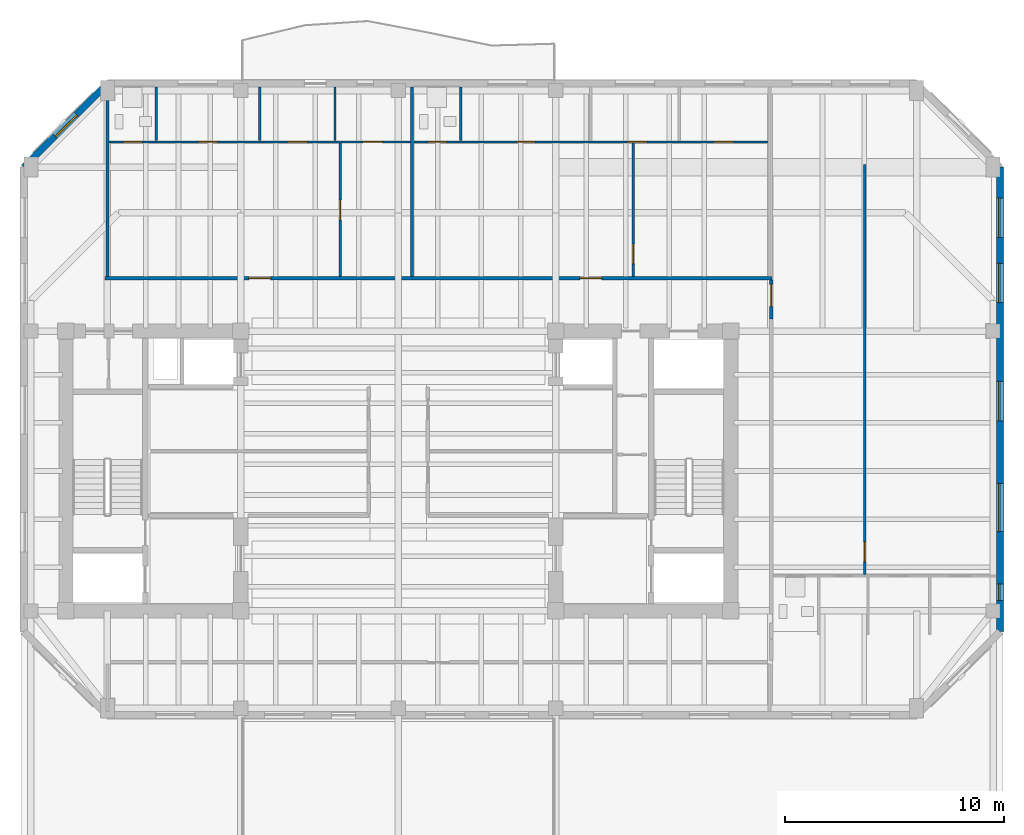
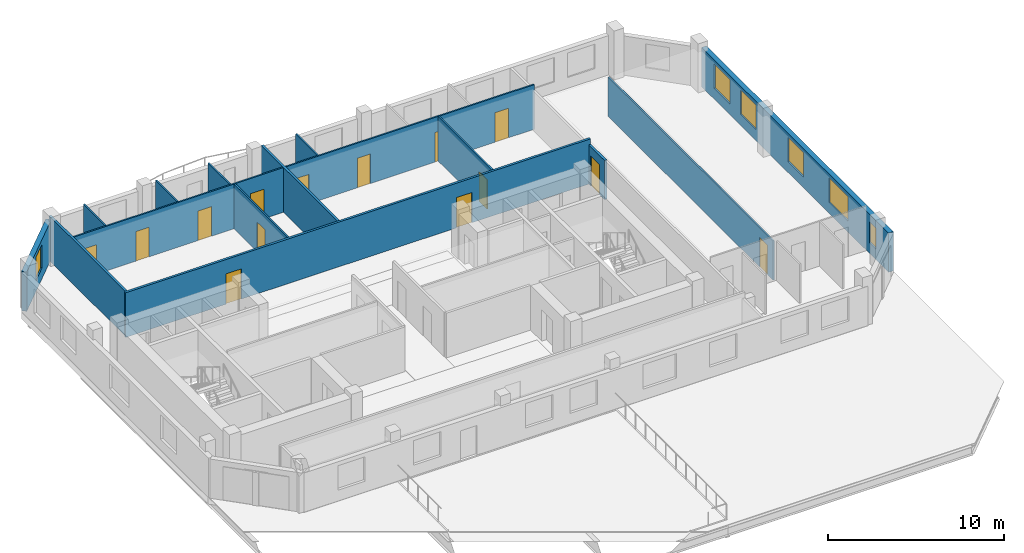
# One storey, part 5 of 10: 15 walls, 14 doors, 6 windows, 20 openings.
"""IFC4 building model written with IfcOpenShell, lengths in metres."""

from ifc_helpers import new_model, si_unit, direction, frame, frame_2d, origin, place, context, subcontext, project, spatial, rectangle, extrude, material, layer, layer_set, type_object, element, fill, save


model = new_model("IFC4")

# Units and contexts
model_context = context("Model", 3, precision=1e-05, world=origin(), true_north=direction((0.0, 1.0)))
body_context = subcontext(model_context, "Body", "Model", "MODEL_VIEW")
ifc_project = project(units=[si_unit("LENGTHUNIT", "METRE"), si_unit("AREAUNIT", "SQUARE_METRE"), si_unit("VOLUMEUNIT", "CUBIC_METRE"), si_unit("PLANEANGLEUNIT", "RADIAN"), si_unit("MASSUNIT", "GRAM", prefix="KILO")], contexts=[model_context])

# Site, building, storey
site_placement = place(None, origin())
site = spatial("IfcSite", under=ifc_project, at=site_placement, CompositionType="ELEMENT")
building_placement = place(site_placement, origin())
building = spatial("IfcBuilding", under=site, at=building_placement, Name="Kranthara Brick Stack", CompositionType="ELEMENT")
storey_placement = place(building_placement, frame((0.0, 0.0, 248.300048828125)))
storey = spatial("IfcBuildingStorey", under=building, at=storey_placement, Name="L65", CompositionType="ELEMENT", Elevation=248.300048828125)

# Wall, opening, window
ifc_material_1 = material(Name="Warm buff clay brick masonry M15", Category="masonry")
ifc_layer_1 = layer(ifc_material_1, 0.320068359375)
ifc_layer_set_1 = layer_set([ifc_layer_1], Name="Warm buff clay brick masonry M15")
wall_type_1 = type_object("IfcWallType", Name="WL-BRK-UPPR-320", PredefinedType="STANDARD", material=ifc_layer_set_1)
wall_1_placement = place(storey_placement, frame((10.8798828125, 41.10009765625, 0.0), z_axis=(0.0, 0.0, 1.0), x_axis=(0.70712937715, 0.707084184501, 0.0)))
wall_1 = element("IfcWall", 1, at=wall_1_placement, inside=storey, type_object=wall_type_1, Name="L65 Exterior Brick Facade Wall NW 1", PredefinedType="STANDARD", context=body_context, shape_type="SweptSolid", body=[
    extrude(rectangle(XDim=5.402099609375, YDim=0.320068359375, at=frame_2d((2.701171875, 0.0))), origin(), (0.0, 0.0, 1.0), 2.724853515625),
])
opening_1_placement = place(wall_1_placement, frame((2.0009765625, 0.0, 0.75)))
opening_1 = element("IfcOpeningElement", 2, at=opening_1_placement, cuts=wall_1, Name="Opening WN10", PredefinedType="OPENING", context=body_context, shape_type="SweptSolid", body=[
    extrude(rectangle(XDim=1.39990234375, YDim=1.64990234375, at=frame_2d((0.699951171875, 0.824951171875))), frame((0.0, 0.169921875, 0.0), z_axis=(0.0, -1.0, 0.0), x_axis=(1.0, 0.0, 0.0)), (0.0, 0.0, 1.0), 0.340087890625),
])
ifc_material_2 = material(Name="Double-glazed low-E solar control glass", Category="glass")
window_type_1 = type_object("IfcWindowType", Name="WN-CHM-1400x1750", PartitioningType="SINGLE_PANEL", PredefinedType="WINDOW", material=ifc_material_2)
window_1_placement = place(opening_1_placement, origin())
window_1 = element("IfcWindow", 3, at=window_1_placement, inside=storey, type_object=window_type_1, Name="L65 NW Chamfer Corner Window", OverallHeight=1.64990234375, OverallWidth=1.39990234375, PartitioningType="SINGLE_PANEL", PredefinedType="WINDOW", context=body_context, shape_type="SweptSolid", body=[
    extrude(rectangle(XDim=1.39990234375, YDim=1.64990234375, at=frame_2d((0.699951171875, 0.824951171875))), frame((0.0, -0.010009765625, 0.0), z_axis=(0.0, -1.0, 0.0), x_axis=(1.0, 0.0, 0.0)), (0.0, 0.0, 1.0), 0.06005859375),
])
fill(opening_1, window_1)

# Wall, openings, windows
wall_2_placement = place(storey_placement, frame((55.52001953125, 41.10009765625, 0.0), z_axis=(0.0, 0.0, 1.0), x_axis=(0.0, -1.0, 0.0)))
wall_2 = element("IfcWall", 4, at=wall_2_placement, inside=storey, type_object=wall_type_1, Name="L65 Exterior Brick Facade Wall EAST 1", PredefinedType="STANDARD", context=body_context, shape_type="SweptSolid", body=[
    extrude(rectangle(XDim=21.25, YDim=0.320068359375, at=frame_2d((10.625, 0.0))), origin(), (0.0, 0.0, 1.0), 2.724853515625),
])
opening_2_placement = place(wall_2_placement, frame((1.4189453125, 0.0, 0.75)))
opening_2 = element("IfcOpeningElement", 5, at=opening_2_placement, cuts=wall_2, Name="Opening WN07", PredefinedType="OPENING", context=body_context, shape_type="SweptSolid", body=[
    extrude(rectangle(XDim=1.800048828125, YDim=1.699951171875, at=frame_2d((0.89990234375, 0.85009765625))), frame((0.0, 0.169921875, 0.0), z_axis=(0.0, -1.0, 0.0), x_axis=(1.0, 0.0, 0.0)), (0.0, 0.0, 1.0), 0.340087890625),
])
opening_3_placement = place(wall_2_placement, frame((4.406005859375, 0.0, 0.75)))
opening_3 = element("IfcOpeningElement", 6, at=opening_3_placement, cuts=wall_2, Name="Opening WN07", PredefinedType="OPENING", context=body_context, shape_type="SweptSolid", body=[
    extrude(rectangle(XDim=1.800048828125, YDim=1.699951171875, at=frame_2d((0.89990234375, 0.85009765625))), frame((0.0, 0.169921875, 0.0), z_axis=(0.0, -1.0, 0.0), x_axis=(1.0, 0.0, 0.0)), (0.0, 0.0, 1.0), 0.340087890625),
])
opening_4_placement = place(wall_2_placement, frame((9.806884765625, 0.0, 0.75)))
opening_4 = element("IfcOpeningElement", 7, at=opening_4_placement, cuts=wall_2, Name="Opening WN07", PredefinedType="OPENING", context=body_context, shape_type="SweptSolid", body=[
    extrude(rectangle(XDim=1.800048828125, YDim=1.699951171875, at=frame_2d((0.89990234375, 0.85009765625))), frame((0.0, 0.169921875, 0.0), z_axis=(0.0, -1.0, 0.0), x_axis=(1.0, 0.0, 0.0)), (0.0, 0.0, 1.0), 0.340087890625),
])
opening_5_placement = place(wall_2_placement, frame((14.468017578125, 0.0, 0.75)))
opening_5 = element("IfcOpeningElement", 8, at=opening_5_placement, cuts=wall_2, Name="Opening WN08", PredefinedType="OPENING", context=body_context, shape_type="SweptSolid", body=[
    extrude(rectangle(XDim=2.199951171875, YDim=1.699951171875, at=frame_2d((1.10009765625, 0.85009765625))), frame((0.0, 0.169921875, 0.0), z_axis=(0.0, -1.0, 0.0), x_axis=(1.0, 0.0, 0.0)), (0.0, 0.0, 1.0), 0.340087890625),
])
opening_6_placement = place(wall_2_placement, frame((19.06201171875, 0.0, 0.75)))
opening_6 = element("IfcOpeningElement", 9, at=opening_6_placement, cuts=wall_2, Name="Opening WN13", PredefinedType="OPENING", context=body_context, shape_type="SweptSolid", body=[
    extrude(rectangle(XDim=0.75, YDim=1.449951171875, at=frame_2d((0.375, 0.72509765625))), frame((0.0, 0.169921875, 0.0), z_axis=(0.0, -1.0, 0.0), x_axis=(1.0, 0.0, 0.0)), (0.0, 0.0, 1.0), 0.340087890625),
])
ifc_material_3 = material(Name="Double-glazed low-E solar control glass", Category="glass")
window_type_2 = type_object("IfcWindowType", Name="WN-CAS-750x1450", PartitioningType="SINGLE_PANEL", PredefinedType="WINDOW", material=ifc_material_3)
window_2_placement = place(opening_6_placement, origin())
window_2 = element("IfcWindow", 10, at=window_2_placement, inside=storey, type_object=window_type_2, Name="L65 East Deep-Set Casement Window 05", OverallHeight=1.449951171875, OverallWidth=0.75, PartitioningType="SINGLE_PANEL", PredefinedType="WINDOW", context=body_context, shape_type="SweptSolid", body=[
    extrude(rectangle(XDim=0.75, YDim=1.449951171875, at=frame_2d((0.375, 0.72509765625))), frame((0.0, -0.010009765625, 0.0), z_axis=(0.0, -1.0, 0.0), x_axis=(1.0, 0.0, 0.0)), (0.0, 0.0, 1.0), 0.06005859375),
])
fill(opening_6, window_2)
ifc_material_4 = material(Name="Double-glazed low-E solar control glass", Category="glass")
window_type_3 = type_object("IfcWindowType", Name="WN-RES-1800x1850", PartitioningType="DOUBLE_PANEL_VERTICAL", PredefinedType="WINDOW", material=ifc_material_4)
window_3_placement = place(opening_2_placement, origin())
window_3 = element("IfcWindow", 11, at=window_3_placement, inside=storey, type_object=window_type_3, Name="L65 East Deep-Set Brick Window 01", OverallHeight=1.699951171875, OverallWidth=1.800048828125, PartitioningType="SINGLE_PANEL", PredefinedType="WINDOW", context=body_context, shape_type="SweptSolid", body=[
    extrude(rectangle(XDim=1.800048828125, YDim=1.699951171875, at=frame_2d((0.89990234375, 0.85009765625))), frame((0.0, -0.010009765625, 0.0), z_axis=(0.0, -1.0, 0.0), x_axis=(1.0, 0.0, 0.0)), (0.0, 0.0, 1.0), 0.06005859375),
])
fill(opening_2, window_3)
window_4_placement = place(opening_3_placement, origin())
window_4 = element("IfcWindow", 12, at=window_4_placement, inside=storey, type_object=window_type_3, Name="L65 East Deep-Set Brick Window 02", OverallHeight=1.699951171875, OverallWidth=1.800048828125, PartitioningType="SINGLE_PANEL", PredefinedType="WINDOW", context=body_context, shape_type="SweptSolid", body=[
    extrude(rectangle(XDim=1.800048828125, YDim=1.699951171875, at=frame_2d((0.89990234375, 0.85009765625))), frame((0.0, -0.010009765625, 0.0), z_axis=(0.0, -1.0, 0.0), x_axis=(1.0, 0.0, 0.0)), (0.0, 0.0, 1.0), 0.06005859375),
])
fill(opening_3, window_4)
window_5_placement = place(opening_4_placement, origin())
window_5 = element("IfcWindow", 13, at=window_5_placement, inside=storey, type_object=window_type_3, Name="L65 East Deep-Set Brick Window 03", OverallHeight=1.699951171875, OverallWidth=1.800048828125, PartitioningType="SINGLE_PANEL", PredefinedType="WINDOW", context=body_context, shape_type="SweptSolid", body=[
    extrude(rectangle(XDim=1.800048828125, YDim=1.699951171875, at=frame_2d((0.89990234375, 0.85009765625))), frame((0.0, -0.010009765625, 0.0), z_axis=(0.0, -1.0, 0.0), x_axis=(1.0, 0.0, 0.0)), (0.0, 0.0, 1.0), 0.06005859375),
])
fill(opening_4, window_5)
ifc_material_5 = material(Name="Double-glazed low-E solar control glass", Category="glass")
window_type_4 = type_object("IfcWindowType", Name="WN-RES-2200x1850", PartitioningType="TRIPLE_PANEL_VERTICAL", PredefinedType="WINDOW", material=ifc_material_5)
window_6_placement = place(opening_5_placement, origin())
window_6 = element("IfcWindow", 14, at=window_6_placement, inside=storey, type_object=window_type_4, Name="L65 East Deep-Set Brick Window 04", OverallHeight=1.699951171875, OverallWidth=2.199951171875, PartitioningType="SINGLE_PANEL", PredefinedType="WINDOW", context=body_context, shape_type="SweptSolid", body=[
    extrude(rectangle(XDim=2.199951171875, YDim=1.699951171875, at=frame_2d((1.10009765625, 0.85009765625))), frame((0.0, -0.010009765625, 0.0), z_axis=(0.0, -1.0, 0.0), x_axis=(1.0, 0.0, 0.0)), (0.0, 0.0, 1.0), 0.06005859375),
])
fill(opening_5, window_6)

# Wall, openings, doors
ifc_material_6 = material(Name="Moisture-resistant wet-room partition", Category="other")
ifc_layer_2 = layer(ifc_material_6, 0.10009765625)
ifc_layer_set_2 = layer_set([ifc_layer_2], Name="Moisture-resistant wet-room partition")
wall_type_2 = type_object("IfcWallType", Name="WL-PART-100", PredefinedType="PARTITIONING", material=ifc_layer_set_2)
wall_3_placement = place(storey_placement, frame((14.780029296875, 42.25, 0.0), z_axis=(0.0, 0.0, 1.0), x_axis=(1.0, 0.0, 0.0)))
wall_3 = element("IfcWall", 15, at=wall_3_placement, inside=storey, type_object=wall_type_2, Name="L65 Interior Partition 015", PredefinedType="PARTITIONING", context=body_context, shape_type="SweptSolid", body=[
    extrude(rectangle(XDim=13.888916015625, YDim=0.10009765625, at=frame_2d((6.9443359375, 0.0))), origin(), (0.0, 0.0, 1.0), 3.099853515625),
])
opening_7_placement = place(wall_3_placement, frame((0.64990234375, 0.0, 0.0)))
opening_7 = element("IfcOpeningElement", 16, at=opening_7_placement, cuts=wall_3, Name="Opening D17", PredefinedType="OPENING", context=body_context, shape_type="SweptSolid", body=[
    extrude(rectangle(XDim=0.85009765625, YDim=2.050048828125, at=frame_2d((0.425048828125, 1.02490234375))), frame((0.0, 0.06005859375, 0.0), z_axis=(0.0, -1.0, 0.0), x_axis=(1.0, 0.0, 0.0)), (0.0, 0.0, 1.0), 0.1201171875),
])
opening_8_placement = place(wall_3_placement, frame((4.093017578125, 0.0, 0.0)))
opening_8 = element("IfcOpeningElement", 17, at=opening_8_placement, cuts=wall_3, Name="Opening D16", PredefinedType="OPENING", context=body_context, shape_type="SweptSolid", body=[
    extrude(rectangle(XDim=0.85009765625, YDim=2.050048828125, at=frame_2d((0.425048828125, 1.02490234375))), frame((0.0, 0.06005859375, 0.0), z_axis=(0.0, -1.0, 0.0), x_axis=(1.0, 0.0, 0.0)), (0.0, 0.0, 1.0), 0.1201171875),
])
opening_9_placement = place(wall_3_placement, frame((8.156005859375, 0.0, 0.0)))
opening_9 = element("IfcOpeningElement", 18, at=opening_9_placement, cuts=wall_3, Name="Opening D15", PredefinedType="OPENING", context=body_context, shape_type="SweptSolid", body=[
    extrude(rectangle(XDim=0.89990234375, YDim=2.050048828125, at=frame_2d((0.449951171875, 1.02490234375))), frame((0.0, 0.06005859375, 0.0), z_axis=(0.0, -1.0, 0.0), x_axis=(1.0, 0.0, 0.0)), (0.0, 0.0, 1.0), 0.1201171875),
])
opening_10_placement = place(wall_3_placement, frame((11.597900390625, 0.0, 0.0)))
opening_10 = element("IfcOpeningElement", 19, at=opening_10_placement, cuts=wall_3, Name="Opening D15", PredefinedType="OPENING", context=body_context, shape_type="SweptSolid", body=[
    extrude(rectangle(XDim=0.89990234375, YDim=2.050048828125, at=frame_2d((0.449951171875, 1.02490234375))), frame((0.0, 0.06005859375, 0.0), z_axis=(0.0, -1.0, 0.0), x_axis=(1.0, 0.0, 0.0)), (0.0, 0.0, 1.0), 0.1201171875),
])
ifc_material_7 = material(Name="Solid-core hardwood timber leaf in steel frame", Category="steel")
door_type_1 = type_object("IfcDoorType", Name="DR-INT-850", OperationType="NOTDEFINED", PredefinedType="DOOR", material=ifc_material_7)
door_1_placement = place(opening_8_placement, origin())
door_1 = element("IfcDoor", 20, at=door_1_placement, inside=storey, type_object=door_type_1, Name="L65 Unit L65A Kitchen 12", OperationType="SINGLE_SWING_RIGHT", OverallHeight=2.050048828125, OverallWidth=0.85009765625, PredefinedType="DOOR", context=body_context, shape_type="SweptSolid", body=[
    extrude(rectangle(XDim=0.85009765625, YDim=2.050048828125, at=frame_2d((0.425048828125, 1.02490234375))), frame((0.0, 0.02490234375, 0.0), z_axis=(0.0, -1.0, 0.0), x_axis=(1.0, 0.0, 0.0)), (0.0, 0.0, 1.0), 0.050048828125),
])
fill(opening_8, door_1)
ifc_material_8 = material(Name="Solid-core hardwood timber leaf in steel frame", Category="steel")
door_type_2 = type_object("IfcDoorType", Name="DR-INT-900", OperationType="NOTDEFINED", PredefinedType="DOOR", material=ifc_material_8)
door_2_placement = place(opening_9_placement, origin())
door_2 = element("IfcDoor", 21, at=door_2_placement, inside=storey, type_object=door_type_2, Name="L65 Unit L65A Master Bedroom 13", OperationType="SINGLE_SWING_LEFT", OverallHeight=2.050048828125, OverallWidth=0.89990234375, PredefinedType="DOOR", context=body_context, shape_type="SweptSolid", body=[
    extrude(rectangle(XDim=0.89990234375, YDim=2.050048828125, at=frame_2d((0.449951171875, 1.02490234375))), frame((0.0, 0.02490234375, 0.0), z_axis=(0.0, -1.0, 0.0), x_axis=(1.0, 0.0, 0.0)), (0.0, 0.0, 1.0), 0.050048828125),
])
fill(opening_9, door_2)
door_3_placement = place(opening_10_placement, origin())
door_3 = element("IfcDoor", 22, at=door_3_placement, inside=storey, type_object=door_type_2, Name="L65 Unit L65A Bedroom 2 14", OperationType="SINGLE_SWING_RIGHT", OverallHeight=2.050048828125, OverallWidth=0.89990234375, PredefinedType="DOOR", context=body_context, shape_type="SweptSolid", body=[
    extrude(rectangle(XDim=0.89990234375, YDim=2.050048828125, at=frame_2d((0.449951171875, 1.02490234375))), frame((0.0, 0.02490234375, 0.0), z_axis=(0.0, -1.0, 0.0), x_axis=(1.0, 0.0, 0.0)), (0.0, 0.0, 1.0), 0.050048828125),
])
fill(opening_10, door_3)
ifc_material_9 = material(Name="Solid-core hardwood timber leaf in steel frame", Category="steel")
door_type_3 = type_object("IfcDoorType", Name="DR-WET-850", OperationType="NOTDEFINED", PredefinedType="DOOR", material=ifc_material_9)
door_4_placement = place(opening_7_placement, origin())
door_4 = element("IfcDoor", 23, at=door_4_placement, inside=storey, type_object=door_type_3, Name="L65 Unit L65A Bathroom 11", OperationType="SINGLE_SWING_LEFT", OverallHeight=2.050048828125, OverallWidth=0.85009765625, PredefinedType="DOOR", context=body_context, shape_type="SweptSolid", body=[
    extrude(rectangle(XDim=0.85009765625, YDim=2.050048828125, at=frame_2d((0.425048828125, 1.02490234375))), frame((0.0, 0.02490234375, 0.0), z_axis=(0.0, -1.0, 0.0), x_axis=(1.0, 0.0, 0.0)), (0.0, 0.0, 1.0), 0.050048828125),
])
fill(opening_7, door_4)

# Wall, opening, door
wall_4_placement = place(storey_placement, frame((25.34912109375, 36.10009765625, 0.0), z_axis=(0.0, 0.0, 1.0), x_axis=(0.0, 1.0, 0.0)))
wall_4 = element("IfcWall", 24, at=wall_4_placement, inside=storey, type_object=wall_type_2, Name="L65 Interior Partition 016", PredefinedType="PARTITIONING", context=body_context, shape_type="SweptSolid", body=[
    extrude(rectangle(XDim=6.094970703125, YDim=0.10009765625, at=frame_2d((3.04736328125, 0.0))), origin(), (0.0, 0.0, 1.0), 3.099853515625),
])
opening_11_placement = place(wall_4_placement, frame((2.5849609375, 0.0, 0.0)))
opening_11 = element("IfcOpeningElement", 25, at=opening_11_placement, cuts=wall_4, Name="Opening D15", PredefinedType="OPENING", context=body_context, shape_type="SweptSolid", body=[
    extrude(rectangle(XDim=0.89990234375, YDim=2.050048828125, at=frame_2d((0.449951171875, 1.02490234375))), frame((0.0, 0.06005859375, 0.0), z_axis=(0.0, -1.0, 0.0), x_axis=(1.0, 0.0, 0.0)), (0.0, 0.0, 1.0), 0.1201171875),
])
door_5_placement = place(opening_11_placement, origin())
door_5 = element("IfcDoor", 26, at=door_5_placement, inside=storey, type_object=door_type_2, Name="L65 Unit L65A Bedroom 3 10", OperationType="SINGLE_SWING_RIGHT", OverallHeight=2.050048828125, OverallWidth=0.89990234375, PredefinedType="DOOR", context=body_context, shape_type="SweptSolid", body=[
    extrude(rectangle(XDim=0.89990234375, YDim=2.050048828125, at=frame_2d((0.449951171875, 1.02490234375))), frame((0.0, 0.02490234375, 0.0), z_axis=(0.0, -1.0, 0.0), x_axis=(1.0, 0.0, 0.0)), (0.0, 0.0, 1.0), 0.050048828125),
])
fill(opening_11, door_5)

# Walls
for number, where, z_axis, x_axis, name in (
    (27, (16.929931640625, 42.304931640625, 0.0), (0.0, 0.0, 1.0), (0.0, 1.0, 0.0), "L65 Interior Partition 017"),
    (28, (21.6650390625, 42.304931640625, 0.0), (0.0, 0.0, 1.0), (0.0, 1.0, 0.0), "L65 Interior Partition 018"),
    (29, (25.10693359375, 42.304931640625, 0.0), (0.0, 0.0, 1.0), (0.0, 1.0, 0.0), "L65 Interior Partition 019"),
):
    element("IfcWall", number, at=place(storey_placement, frame(where, z_axis=z_axis, x_axis=x_axis)), inside=storey, type_object=wall_type_2, Name=name, PredefinedType="PARTITIONING", context=body_context, shape_type="SweptSolid", body=[
        extrude(rectangle(XDim=2.449951171875, YDim=0.10009765625, at=frame_2d((1.22509765625, 0.0))), origin(), (0.0, 0.0, 1.0), 3.099853515625),
    ])

# Wall, openings, doors
wall_5_placement = place(storey_placement, frame((28.708984375, 42.25, 0.0), z_axis=(0.0, 0.0, 1.0), x_axis=(1.0, 0.0, 0.0)))
wall_5 = element("IfcWall", 30, at=wall_5_placement, inside=storey, type_object=wall_type_2, Name="L65 Interior Partition 021", PredefinedType="PARTITIONING", context=body_context, shape_type="SweptSolid", body=[
    extrude(rectangle(XDim=16.31103515625, YDim=0.10009765625, at=frame_2d((8.155517578125, 0.0))), origin(), (0.0, 0.0, 1.0), 3.099853515625),
])
opening_12_placement = place(wall_5_placement, frame((0.64990234375, 0.0, 0.0)))
opening_12 = element("IfcOpeningElement", 31, at=opening_12_placement, cuts=wall_5, Name="Opening D17", PredefinedType="OPENING", context=body_context, shape_type="SweptSolid", body=[
    extrude(rectangle(XDim=0.85009765625, YDim=2.050048828125, at=frame_2d((0.425048828125, 1.02490234375))), frame((0.0, 0.06005859375, 0.0), z_axis=(0.0, -1.0, 0.0), x_axis=(1.0, 0.0, 0.0)), (0.0, 0.0, 1.0), 0.1201171875),
])
opening_13_placement = place(wall_5_placement, frame((4.697021484375, 0.0, 0.0)))
opening_13 = element("IfcOpeningElement", 32, at=opening_13_placement, cuts=wall_5, Name="Opening D16", PredefinedType="OPENING", context=body_context, shape_type="SweptSolid", body=[
    extrude(rectangle(XDim=0.85009765625, YDim=2.050048828125, at=frame_2d((0.425048828125, 1.02490234375))), frame((0.0, 0.06005859375, 0.0), z_axis=(0.0, -1.0, 0.0), x_axis=(1.0, 0.0, 0.0)), (0.0, 0.0, 1.0), 0.1201171875),
])
opening_14_placement = place(wall_5_placement, frame((9.76904296875, 0.0, 0.0)))
opening_14 = element("IfcOpeningElement", 33, at=opening_14_placement, cuts=wall_5, Name="Opening D15", PredefinedType="OPENING", context=body_context, shape_type="SweptSolid", body=[
    extrude(rectangle(XDim=0.89990234375, YDim=2.050048828125, at=frame_2d((0.449951171875, 1.02490234375))), frame((0.0, 0.06005859375, 0.0), z_axis=(0.0, -1.0, 0.0), x_axis=(1.0, 0.0, 0.0)), (0.0, 0.0, 1.0), 0.1201171875),
])
opening_15_placement = place(wall_5_placement, frame((13.717041015625, 0.0, 0.0)))
opening_15 = element("IfcOpeningElement", 34, at=opening_15_placement, cuts=wall_5, Name="Opening D15", PredefinedType="OPENING", context=body_context, shape_type="SweptSolid", body=[
    extrude(rectangle(XDim=0.89990234375, YDim=2.050048828125, at=frame_2d((0.449951171875, 1.02490234375))), frame((0.0, 0.06005859375, 0.0), z_axis=(0.0, -1.0, 0.0), x_axis=(1.0, 0.0, 0.0)), (0.0, 0.0, 1.0), 0.1201171875),
])
door_6_placement = place(opening_13_placement, origin())
door_6 = element("IfcDoor", 35, at=door_6_placement, inside=storey, type_object=door_type_1, Name="L65 Unit L65B Kitchen 18", OperationType="SINGLE_SWING_RIGHT", OverallHeight=2.050048828125, OverallWidth=0.85009765625, PredefinedType="DOOR", context=body_context, shape_type="SweptSolid", body=[
    extrude(rectangle(XDim=0.85009765625, YDim=2.050048828125, at=frame_2d((0.425048828125, 1.02490234375))), frame((0.0, 0.02490234375, 0.0), z_axis=(0.0, -1.0, 0.0), x_axis=(1.0, 0.0, 0.0)), (0.0, 0.0, 1.0), 0.050048828125),
])
fill(opening_13, door_6)
door_7_placement = place(opening_14_placement, origin())
door_7 = element("IfcDoor", 36, at=door_7_placement, inside=storey, type_object=door_type_2, Name="L65 Unit L65B Master Bedroom 19", OperationType="SINGLE_SWING_LEFT", OverallHeight=2.050048828125, OverallWidth=0.89990234375, PredefinedType="DOOR", context=body_context, shape_type="SweptSolid", body=[
    extrude(rectangle(XDim=0.89990234375, YDim=2.050048828125, at=frame_2d((0.449951171875, 1.02490234375))), frame((0.0, 0.02490234375, 0.0), z_axis=(0.0, -1.0, 0.0), x_axis=(1.0, 0.0, 0.0)), (0.0, 0.0, 1.0), 0.050048828125),
])
fill(opening_14, door_7)
door_8_placement = place(opening_15_placement, origin())
door_8 = element("IfcDoor", 37, at=door_8_placement, inside=storey, type_object=door_type_2, Name="L65 Unit L65B Bedroom 2 20", OperationType="SINGLE_SWING_RIGHT", OverallHeight=2.050048828125, OverallWidth=0.89990234375, PredefinedType="DOOR", context=body_context, shape_type="SweptSolid", body=[
    extrude(rectangle(XDim=0.89990234375, YDim=2.050048828125, at=frame_2d((0.449951171875, 1.02490234375))), frame((0.0, 0.02490234375, 0.0), z_axis=(0.0, -1.0, 0.0), x_axis=(1.0, 0.0, 0.0)), (0.0, 0.0, 1.0), 0.050048828125),
])
fill(opening_15, door_8)
door_9_placement = place(opening_12_placement, origin())
door_9 = element("IfcDoor", 38, at=door_9_placement, inside=storey, type_object=door_type_3, Name="L65 Unit L65B Bathroom 17", OperationType="SINGLE_SWING_LEFT", OverallHeight=2.050048828125, OverallWidth=0.85009765625, PredefinedType="DOOR", context=body_context, shape_type="SweptSolid", body=[
    extrude(rectangle(XDim=0.85009765625, YDim=2.050048828125, at=frame_2d((0.425048828125, 1.02490234375))), frame((0.0, 0.02490234375, 0.0), z_axis=(0.0, -1.0, 0.0), x_axis=(1.0, 0.0, 0.0)), (0.0, 0.0, 1.0), 0.050048828125),
])
fill(opening_12, door_9)

# Wall, opening, door
wall_6_placement = place(storey_placement, frame((38.7470703125, 36.10009765625, 0.0), z_axis=(0.0, 0.0, 1.0), x_axis=(0.0, 1.0, 0.0)))
wall_6 = element("IfcWall", 39, at=wall_6_placement, inside=storey, type_object=wall_type_2, Name="L65 Interior Partition 022", PredefinedType="PARTITIONING", context=body_context, shape_type="SweptSolid", body=[
    extrude(rectangle(XDim=6.094970703125, YDim=0.10009765625, at=frame_2d((3.04736328125, 0.0))), origin(), (0.0, 0.0, 1.0), 3.099853515625),
])
opening_16_placement = place(wall_6_placement, frame((0.580078125, 0.0, 0.0)))
opening_16 = element("IfcOpeningElement", 40, at=opening_16_placement, cuts=wall_6, Name="Opening D15", PredefinedType="OPENING", context=body_context, shape_type="SweptSolid", body=[
    extrude(rectangle(XDim=0.89990234375, YDim=2.050048828125, at=frame_2d((0.449951171875, 1.02490234375))), frame((0.0, 0.06005859375, 0.0), z_axis=(0.0, -1.0, 0.0), x_axis=(1.0, 0.0, 0.0)), (0.0, 0.0, 1.0), 0.1201171875),
])
door_10_placement = place(opening_16_placement, origin())
door_10 = element("IfcDoor", 41, at=door_10_placement, inside=storey, type_object=door_type_2, Name="L65 Unit L65B Study 16", OperationType="SINGLE_SWING_RIGHT", OverallHeight=2.050048828125, OverallWidth=0.89990234375, PredefinedType="DOOR", context=body_context, shape_type="SweptSolid", body=[
    extrude(rectangle(XDim=0.89990234375, YDim=2.050048828125, at=frame_2d((0.449951171875, 1.02490234375))), frame((0.0, 0.02490234375, 0.0), z_axis=(0.0, -1.0, 0.0), x_axis=(1.0, 0.0, 0.0)), (0.0, 0.0, 1.0), 0.050048828125),
])
fill(opening_16, door_10)

# Wall
wall_7_placement = place(storey_placement, frame((30.85888671875, 42.304931640625, 0.0), z_axis=(0.0, 0.0, 1.0), x_axis=(0.0, 1.0, 0.0)))
element("IfcWall", 42, at=wall_7_placement, inside=storey, type_object=wall_type_2, Name="L65 Interior Partition 023", PredefinedType="PARTITIONING", context=body_context, shape_type="SweptSolid", body=[
    extrude(rectangle(XDim=2.449951171875, YDim=0.10009765625, at=frame_2d((1.22509765625, 0.0))), origin(), (0.0, 0.0, 1.0), 3.099853515625),
])

# Wall, opening, door
wall_8_placement = place(storey_placement, frame((49.3291015625, 22.455078125, 0.0), z_axis=(0.0, 0.0, 1.0), x_axis=(0.0, 1.0, 0.0)))
wall_8 = element("IfcWall", 43, at=wall_8_placement, inside=storey, type_object=wall_type_2, Name="L65 Interior Partition 033", PredefinedType="PARTITIONING", context=body_context, shape_type="SweptSolid", body=[
    extrude(rectangle(XDim=18.764892578125, YDim=0.10009765625, at=frame_2d((9.38232421875, 0.0))), origin(), (0.0, 0.0, 1.0), 2.724853515625),
])
opening_17_placement = place(wall_8_placement, frame((0.60498046875, 0.0, 0.0)))
opening_17 = element("IfcOpeningElement", 44, at=opening_17_placement, cuts=wall_8, Name="Opening D15", PredefinedType="OPENING", context=body_context, shape_type="SweptSolid", body=[
    extrude(rectangle(XDim=0.89990234375, YDim=2.050048828125, at=frame_2d((0.449951171875, 1.02490234375))), frame((0.0, 0.06005859375, 0.0), z_axis=(0.0, -1.0, 0.0), x_axis=(1.0, 0.0, 0.0)), (0.0, 0.0, 1.0), 0.1201171875),
])
door_11_placement = place(opening_17_placement, origin())
door_11 = element("IfcDoor", 45, at=door_11_placement, inside=storey, type_object=door_type_2, Name="L65 Unit L65C Study 22", OperationType="SINGLE_SWING_RIGHT", OverallHeight=2.050048828125, OverallWidth=0.89990234375, PredefinedType="DOOR", context=body_context, shape_type="SweptSolid", body=[
    extrude(rectangle(XDim=0.89990234375, YDim=2.050048828125, at=frame_2d((0.449951171875, 1.02490234375))), frame((0.0, 0.02490234375, 0.0), z_axis=(0.0, -1.0, 0.0), x_axis=(1.0, 0.0, 0.0)), (0.0, 0.0, 1.0), 0.050048828125),
])
fill(opening_17, door_11)

# Wall, openings, doors
ifc_material_10 = material(Name="Fire-rated gypsum board partition", Category="other")
ifc_layer_3 = layer(ifc_material_10, 0.14990234375)
ifc_layer_set_3 = layer_set([ifc_layer_3], Name="Fire-rated gypsum board partition")
wall_type_3 = type_object("IfcWallType", Name="WL-PART-150", PredefinedType="PARTITIONING", material=ifc_layer_set_3)
wall_9_placement = place(storey_placement, frame((14.580078125, 36.02001953125, 0.0), z_axis=(0.0, 0.0, 1.0), x_axis=(1.0, 0.0, 0.0)))
wall_9 = element("IfcWall", 46, at=wall_9_placement, inside=storey, type_object=wall_type_3, Name="L65 Interior Partition 013", PredefinedType="PARTITIONING", context=body_context, shape_type="SweptSolid", body=[
    extrude(rectangle(XDim=30.52001953125, YDim=0.14990234375, at=frame_2d((15.260009765625, 0.0))), origin(), (0.0, 0.0, 1.0), 3.099853515625),
])
opening_18_placement = place(wall_9_placement, frame((6.5849609375, 0.0, 0.0)))
opening_18 = element("IfcOpeningElement", 47, at=opening_18_placement, cuts=wall_9, Name="Opening D08", PredefinedType="OPENING", context=body_context, shape_type="SweptSolid", body=[
    extrude(rectangle(XDim=1.0, YDim=2.10009765625, at=frame_2d((0.5, 1.050048828125))), frame((0.0, 0.0849609375, 0.0), z_axis=(0.0, -1.0, 0.0), x_axis=(1.0, 0.0, 0.0)), (0.0, 0.0, 1.0), 0.169921875),
])
opening_19_placement = place(wall_9_placement, frame((21.72412109375, 0.0, 0.0)))
opening_19 = element("IfcOpeningElement", 48, at=opening_19_placement, cuts=wall_9, Name="Opening D08", PredefinedType="OPENING", context=body_context, shape_type="SweptSolid", body=[
    extrude(rectangle(XDim=1.0, YDim=2.10009765625, at=frame_2d((0.5, 1.050048828125))), frame((0.0, 0.0849609375, 0.0), z_axis=(0.0, -1.0, 0.0), x_axis=(1.0, 0.0, 0.0)), (0.0, 0.0, 1.0), 0.169921875),
])
ifc_material_11 = material(Name="Solid-core hardwood timber leaf in steel frame", Category="steel")
door_type_4 = type_object("IfcDoorType", Name="DR-FD-1000", OperationType="NOTDEFINED", PredefinedType="DOOR", material=ifc_material_11)
door_12_placement = place(opening_18_placement, origin())
door_12 = element("IfcDoor", 49, at=door_12_placement, inside=storey, type_object=door_type_4, Name="L65 Unit L65A Entrance 09", OperationType="SINGLE_SWING_LEFT", OverallHeight=2.10009765625, OverallWidth=1.0, PredefinedType="DOOR", context=body_context, shape_type="SweptSolid", body=[
    extrude(rectangle(XDim=1.0, YDim=2.10009765625, at=frame_2d((0.5, 1.050048828125))), frame((0.0, 0.02490234375, 0.0), z_axis=(0.0, -1.0, 0.0), x_axis=(1.0, 0.0, 0.0)), (0.0, 0.0, 1.0), 0.050048828125),
])
fill(opening_18, door_12)
door_13_placement = place(opening_19_placement, origin())
door_13 = element("IfcDoor", 50, at=door_13_placement, inside=storey, type_object=door_type_4, Name="L65 Unit L65B Entrance 15", OperationType="SINGLE_SWING_LEFT", OverallHeight=2.10009765625, OverallWidth=1.0, PredefinedType="DOOR", context=body_context, shape_type="SweptSolid", body=[
    extrude(rectangle(XDim=1.0, YDim=2.10009765625, at=frame_2d((0.5, 1.050048828125))), frame((0.0, 0.02490234375, 0.0), z_axis=(0.0, -1.0, 0.0), x_axis=(1.0, 0.0, 0.0)), (0.0, 0.0, 1.0), 0.050048828125),
])
fill(opening_19, door_13)

# Walls
for number, where, z_axis, x_axis, name in (
    (51, (14.699951171875, 36.10009765625, 0.0), (0.0, 0.0, 1.0), (0.0, 1.0, 0.0), "L65 Interior Partition 014"),
    (52, (28.62890625, 36.10009765625, 0.0), (0.0, 0.0, 1.0), (0.0, 1.0, 0.0), "L65 Interior Partition 020"),
):
    element("IfcWall", number, at=place(storey_placement, frame(where, z_axis=z_axis, x_axis=x_axis)), inside=storey, type_object=wall_type_3, Name=name, PredefinedType="PARTITIONING", context=body_context, shape_type="SweptSolid", body=[
        extrude(rectangle(XDim=8.65478515625, YDim=0.14990234375, at=frame_2d((4.327392578125, 0.0))), origin(), (0.0, 0.0, 1.0), 3.099853515625),
    ])

# Wall, opening, door
wall_10_placement = place(storey_placement, frame((45.050048828125, 34.14990234375, 0.0), z_axis=(0.0, 0.0, 1.0), x_axis=(0.0, 1.0, 0.0)))
wall_10 = element("IfcWall", 53, at=wall_10_placement, inside=storey, type_object=wall_type_3, Name="L65 Interior Partition 030", PredefinedType="PARTITIONING", context=body_context, shape_type="SweptSolid", body=[
    extrude(rectangle(XDim=1.7900390625, YDim=0.14990234375, at=frame_2d((0.89501953125, 0.0))), origin(), (0.0, 0.0, 1.0), 2.724853515625),
])
opening_20_placement = place(wall_10_placement, frame((0.580078125, 0.0, 0.0)))
opening_20 = element("IfcOpeningElement", 54, at=opening_20_placement, cuts=wall_10, Name="Opening D08", PredefinedType="OPENING", context=body_context, shape_type="SweptSolid", body=[
    extrude(rectangle(XDim=1.0, YDim=2.10009765625, at=frame_2d((0.5, 1.050048828125))), frame((0.0, 0.0849609375, 0.0), z_axis=(0.0, -1.0, 0.0), x_axis=(1.0, 0.0, 0.0)), (0.0, 0.0, 1.0), 0.169921875),
])
door_14_placement = place(opening_20_placement, origin())
door_14 = element("IfcDoor", 55, at=door_14_placement, inside=storey, type_object=door_type_4, Name="L65 Unit L65C Entrance 21", OperationType="SINGLE_SWING_LEFT", OverallHeight=2.10009765625, OverallWidth=1.0, PredefinedType="DOOR", context=body_context, shape_type="SweptSolid", body=[
    extrude(rectangle(XDim=1.0, YDim=2.10009765625, at=frame_2d((0.5, 1.050048828125))), frame((0.0, 0.02490234375, 0.0), z_axis=(0.0, -1.0, 0.0), x_axis=(1.0, 0.0, 0.0)), (0.0, 0.0, 1.0), 0.050048828125),
])
fill(opening_20, door_14)

save(model, "model.ifc")
